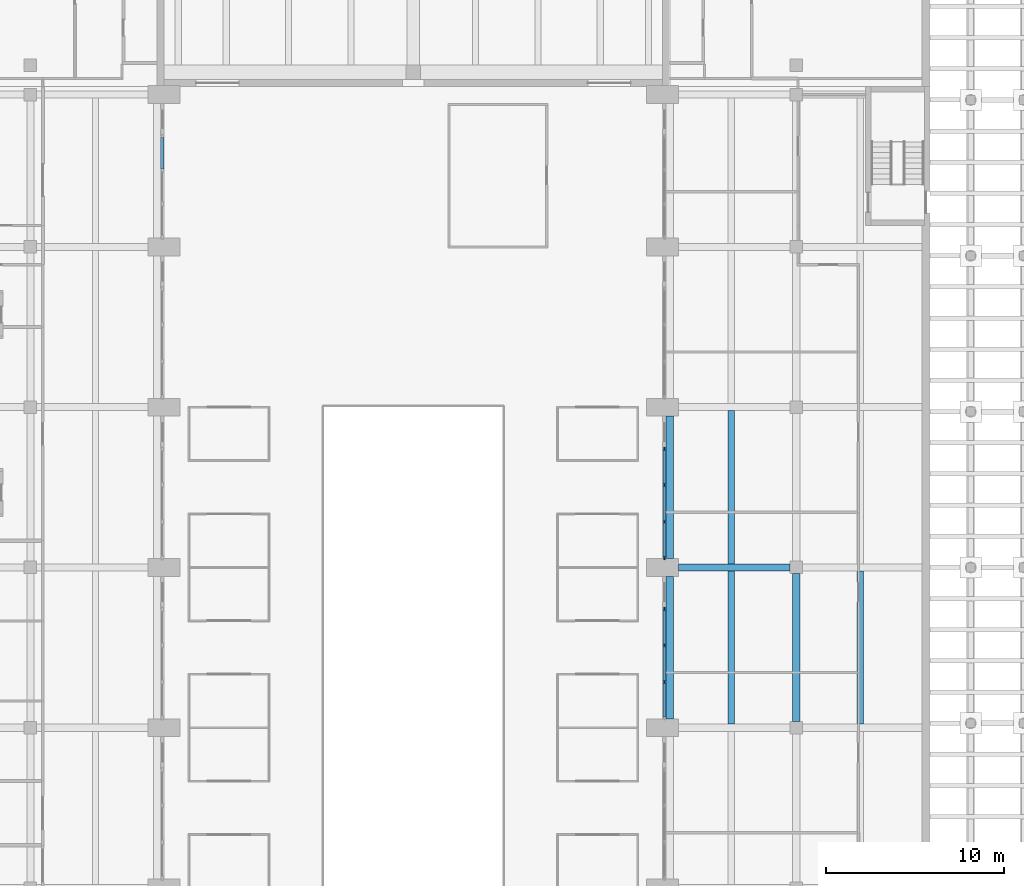
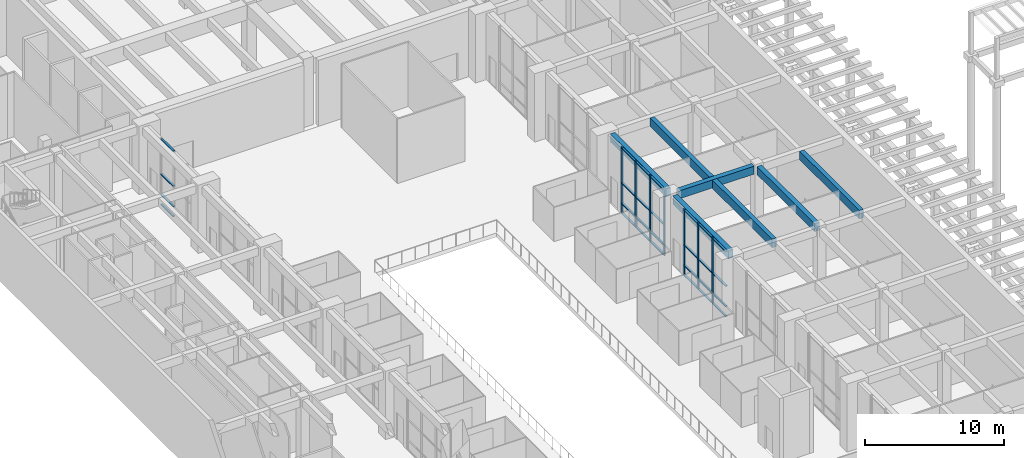
# One storey, part 18 of 51: 35 members, 7 beams, 3 elements without a shape of their own.
"""IFC4 building model written with IfcOpenShell, lengths in metres."""

import ifcopenshell
import ifcopenshell.guid

model = None  # the IFC model being written
_history = None  # IfcOwnerHistory: only IFC2X3 demands one
_inside = {}  # id of a spatial element -> (the spatial element, [elements in it])
_under = {}  # id of a project, library or spatial element -> (it, [spatial elements below it])
_declared = {}  # id of a project -> (the project, [libraries it declares])
_typed = {}  # id of a type object -> (the type object, [elements of that type])
_made_of = {}  # id of a material, layer set ... -> (it, [elements and type objects made of it])


def new_model(schema):
    """Start an empty IFC model of exactly this schema.

    Asked for "IFC4X3", IfcOpenShell would pick the latest addendum, in which some entities
    have other attributes; the version numbers below select the first issue.
    IFC2X3 requires an IfcOwnerHistory on every rooted entity: one is made here for all.
    """
    global model, _history
    if schema == "IFC4X3":
        model = ifcopenshell.file(schema_version=(4, 3, 0, 0))
    else:
        model = ifcopenshell.file(schema=schema)
    _inside.clear()
    _under.clear()
    _declared.clear()
    _typed.clear()
    _made_of.clear()
    _history = None
    if model.schema == "IFC2X3":
        org = make("IfcOrganization", Name="unknown")
        user = make(
            "IfcPersonAndOrganization",
            ThePerson=make("IfcPerson", FamilyName="unknown"),
            TheOrganization=org,
        )
        app = make(
            "IfcApplication",
            ApplicationDeveloper=org,
            Version="unknown",
            ApplicationFullName="unknown",
            ApplicationIdentifier="unknown",
        )
        _history = make(
            "IfcOwnerHistory",
            OwningUser=user,
            OwningApplication=app,
            ChangeAction="ADDED",
            CreationDate=0,
        )
    return model


def make(cls, **values):
    """One entity of the class cls with the attributes given. An attribute that is None is left unset."""
    return model.create_entity(
        cls, **{name: value for name, value in values.items() if value is not None}
    )


def rooted(cls, **values):
    """An entity with a GlobalId (a new one), such as an element, a storey or a relation."""
    return make(cls, GlobalId=ifcopenshell.guid.new(), OwnerHistory=_history, **values)


def si_unit(unit_type, name, prefix=None):
    """IfcSIUnit, for example si_unit("LENGTHUNIT", "METRE", prefix="MILLI")."""
    return make("IfcSIUnit", UnitType=unit_type, Prefix=prefix, Name=name)


def assignment(units):
    """IfcUnitAssignment: the units of a project."""
    return None if units is None else make("IfcUnitAssignment", Units=units)


def point(xyz):
    """IfcCartesianPoint."""
    return None if xyz is None else make("IfcCartesianPoint", Coordinates=xyz)


def direction(xyz):
    """IfcDirection."""
    return None if xyz is None else make("IfcDirection", DirectionRatios=xyz)


def frame(location, z_axis=None, x_axis=None):
    """IfcAxis2Placement3D, a coordinate frame: its origin and axes. An axis left out is left unset."""
    return make(
        "IfcAxis2Placement3D",
        Location=point(location),
        Axis=direction(z_axis),
        RefDirection=direction(x_axis),
    )


def frame_2d(location, x_axis=None):
    """IfcAxis2Placement2D, a coordinate frame in the plane: its origin and x axis."""
    return make(
        "IfcAxis2Placement2D", Location=point(location), RefDirection=direction(x_axis)
    )


def origin():
    """The frame at (0, 0, 0) with its axes left unset."""
    return frame((0.0, 0.0, 0.0))


def origin_2d():
    """The frame at (0, 0) in the plane with its x axis left unset."""
    return frame_2d((0.0, 0.0))


def place(relative_to, where):
    """IfcLocalPlacement: puts the frame where relative to a parent placement (None: the world)."""
    return make(
        "IfcLocalPlacement", PlacementRelTo=relative_to, RelativePlacement=where
    )


def context(
    kind, dimensions, precision=None, world=None, true_north=None, identifier=None
):
    """IfcGeometricRepresentationContext, for example the 3D "Model" context."""
    return make(
        "IfcGeometricRepresentationContext",
        ContextIdentifier=identifier,
        ContextType=kind,
        CoordinateSpaceDimension=dimensions,
        Precision=precision,
        WorldCoordinateSystem=world,
        TrueNorth=true_north,
    )


def subcontext(parent, identifier, kind, view, scale=None):
    """IfcGeometricRepresentationSubContext, for example "Body" below "Model"."""
    return make(
        "IfcGeometricRepresentationSubContext",
        ContextIdentifier=identifier,
        ContextType=kind,
        ParentContext=parent,
        TargetScale=scale,
        TargetView=view,
    )


def project(units=None, contexts=None):
    """IfcProject with its units and contexts."""
    return rooted(
        "IfcProject",
        Name="project",
        RepresentationContexts=contexts,
        UnitsInContext=assignment(units),
    )


def spatial(cls, under=None, at=None, **own):
    """A site, building, storey or space (cls), placed at a placement, below another one or the project."""
    s = rooted(cls, ObjectPlacement=at, **own)
    if under is not None:
        _under.setdefault(under.id(), (under, []))[1].append(s)
    return s


def profile(cls, at=None, kind="AREA", **sizes):
    """A parametric profile (cls). Its sizes go by their IFC names, for example OverallWidth=200.0."""
    return make(cls, ProfileType=kind, Position=at, **sizes)


def rectangle(**sizes):
    """IfcRectangleProfileDef."""
    return profile("IfcRectangleProfileDef", **sizes)


def extrude(swept, where, along, depth):
    """IfcExtrudedAreaSolid: the profile swept, set in the frame where, extruded along a direction by depth."""
    return make(
        "IfcExtrudedAreaSolid",
        SweptArea=swept,
        Position=where,
        ExtrudedDirection=direction(along),
        Depth=depth,
    )


def shape(context_of_items, identifier, shape_type, items):
    """IfcShapeRepresentation: the items that make up one representation, for example the "Body"."""
    return make(
        "IfcShapeRepresentation",
        ContextOfItems=context_of_items,
        RepresentationIdentifier=identifier,
        RepresentationType=shape_type,
        Items=items,
    )


def material(Name=None, Category=None):
    """IfcMaterial."""
    return make("IfcMaterial", Name=Name, Category=Category)


def material_profile(
    of_material, cross_section, Name=None, Category=None, Priority=None
):
    """IfcMaterialProfile: a cross section and its material."""
    return make(
        "IfcMaterialProfile",
        Name=Name,
        Material=of_material,
        Profile=cross_section,
        Priority=Priority,
        Category=Category,
    )


def profile_set(profiles, Name=None, composite=None):
    """IfcMaterialProfileSet."""
    return make(
        "IfcMaterialProfileSet",
        Name=Name,
        MaterialProfiles=profiles,
        CompositeProfile=composite,
    )


def made_of(thing, what):
    """Note that an element or type object is made of a material, layer set ...; save() writes the relation."""
    if what is not None:
        _made_of.setdefault(what.id(), (what, []))[1].append(thing)
    return thing


def type_object(cls, material=None, **own):
    """A type object (cls), such as IfcWallType, which elements share."""
    return made_of(rooted(cls, **own), material)


def element(
    cls,
    number,
    at=None,
    inside=None,
    cuts=None,
    type_object=None,
    material=None,
    context=None,
    identifier="Body",
    shape_type=None,
    held_by="IfcProductDefinitionShape",
    body=None,
    shapes=None,
    **own,
):
    """One element of the class cls, such as IfcWall. Its Tag is "e" and its number.

    at: its placement. inside: the storey or other place that contains it. cuts: it is an
    opening in that element (IfcRelVoidsElement). A single representation is given by context,
    identifier, shape_type and body (its items); several are given by shapes. held_by: the class
    of the entity that holds the representations. save() writes the other relations.
    """
    e = rooted(cls, Tag="e%d" % number, ObjectPlacement=at, **own)
    if body is not None:
        shapes = [shape(context, identifier, shape_type, body)]
    if shapes is not None:
        e.Representation = make(held_by, Representations=shapes)
    if inside is not None:
        _inside.setdefault(inside.id(), (inside, []))[1].append(e)
    if cuts is not None:
        rooted(
            "IfcRelVoidsElement", RelatingBuildingElement=cuts, RelatedOpeningElement=e
        )
    if type_object is not None:
        _typed.setdefault(type_object.id(), (type_object, []))[1].append(e)
    return made_of(e, material)


def aggregate(whole, parts):
    """IfcRelAggregates: a whole, such as a stair, and the parts it consists of."""
    return rooted("IfcRelAggregates", RelatingObject=whole, RelatedObjects=parts)


def save(model, path):
    """Write the relations noted so far, then the file.

    IfcRelAggregates (storeys below a building ...), IfcRelContainedInSpatialStructure (elements
    in a storey), IfcRelDefinesByType, IfcRelAssociatesMaterial and IfcRelDeclares: one each for
    every whole, place, type object, material and project.
    """
    for whole, parts in _under.values():
        aggregate(whole, parts)
    for where, things in _inside.values():
        rooted(
            "IfcRelContainedInSpatialStructure",
            RelatedElements=things,
            RelatingStructure=where,
        )
    for kind, things in _typed.values():
        rooted("IfcRelDefinesByType", RelatedObjects=things, RelatingType=kind)
    for what, things in _made_of.values():
        rooted("IfcRelAssociatesMaterial", RelatedObjects=things, RelatingMaterial=what)
    for by, libraries in _declared.values():
        rooted("IfcRelDeclares", RelatingContext=by, RelatedDefinitions=libraries)
    model.write(path)


model = new_model("IFC4")

# Units and contexts
model_context = context("Model", 3, precision=1e-05, world=origin(), true_north=direction((0.0, 1.0)))
body_context = subcontext(model_context, "Body", "Model", "MODEL_VIEW")
ifc_project = project(units=[si_unit("LENGTHUNIT", "METRE"), si_unit("AREAUNIT", "SQUARE_METRE"), si_unit("VOLUMEUNIT", "CUBIC_METRE"), si_unit("PLANEANGLEUNIT", "RADIAN"), si_unit("MASSUNIT", "GRAM", prefix="KILO")], contexts=[model_context])

# Site, building, storey
site_placement = place(None, origin())
site = spatial("IfcSite", under=ifc_project, at=site_placement, CompositionType="ELEMENT")
building_placement = place(site_placement, origin())
building = spatial("IfcBuilding", under=site, at=building_placement, Name="Elmora Arch Market Hall", CompositionType="ELEMENT")
storey_placement = place(building_placement, origin())
storey = spatial("IfcBuildingStorey", under=building, at=storey_placement, Name="L00", CompositionType="ELEMENT", Elevation=0.0)

# Curtain wall, members
ifc_material_1 = material(Name="Aluminium", Category="aluminium")
curtain_wall_type = type_object("IfcCurtainWallType", Name="Shopfront curtain wall", PredefinedType="NOTDEFINED", material=ifc_material_1)
curtain_wall_1_placement = place(storey_placement, origin())
curtain_wall_1 = element("IfcCurtainWall", 1, at=curtain_wall_1_placement, inside=storey, type_object=curtain_wall_type, Name="Shopfront E 5", PredefinedType="NOTDEFINED")
ifc_material_2 = material(Name="Aluminium", Category="aluminium")
ifc_material_profile_1 = material_profile(ifc_material_2, rectangle(XDim=0.10009765625, YDim=0.219970703125, at=origin_2d()), Name="AL 100x220")
ifc_profile_set_1 = profile_set([ifc_material_profile_1], Name="Aluminium")
member_type_1 = type_object("IfcMemberType", Name="Mullion 100x220", PredefinedType="MULLION", material=ifc_profile_set_1)
member_1_placement = place(storey_placement, frame((43.10009765625, 65.566650390625, 0.0), z_axis=(0.0, 0.0, 1.0), x_axis=(-1.0, 0.0, 0.0)))
member_1 = element("IfcMember", 2, at=member_1_placement, type_object=member_type_1, Name="CW3 mullion 2", PredefinedType="MULLION", context=body_context, shape_type="SweptSolid", body=[
    extrude(rectangle(XDim=0.10009765625, YDim=0.219970703125, at=origin_2d()), origin(), (0.0, 0.0, 1.0), 5.800048828125),
])
member_2_placement = place(storey_placement, frame((43.10009765625, 67.63330078125, 0.0), z_axis=(0.0, 0.0, 1.0), x_axis=(-1.0, 0.0, 0.0)))
member_2 = element("IfcMember", 3, at=member_2_placement, type_object=member_type_1, Name="CW3 mullion 3", PredefinedType="MULLION", context=body_context, shape_type="SweptSolid", body=[
    extrude(rectangle(XDim=0.10009765625, YDim=0.219970703125, at=origin_2d()), origin(), (0.0, 0.0, 1.0), 5.800048828125),
])
member_3_placement = place(storey_placement, frame((43.10009765625, 69.64990234375, 0.0), z_axis=(0.0, 0.0, 1.0), x_axis=(-1.0, 0.0, 0.0)))
member_3 = element("IfcMember", 4, at=member_3_placement, type_object=member_type_1, Name="CW3 mullion 4", PredefinedType="MULLION", context=body_context, shape_type="SweptSolid", body=[
    extrude(rectangle(XDim=0.10009765625, YDim=0.219970703125, at=origin_2d()), origin(), (0.0, 0.0, 1.0), 5.800048828125),
])

curtain_wall_2_placement = place(storey_placement, origin())
curtain_wall_2 = element("IfcCurtainWall", 5, at=curtain_wall_2_placement, inside=storey, type_object=curtain_wall_type, Name="Shopfront E 6", PredefinedType="NOTDEFINED")
member_4_placement = place(storey_placement, frame((43.10009765625, 72.550048828125, 0.0), z_axis=(0.0, 0.0, 1.0), x_axis=(-1.0, 0.0, 0.0)))
member_4 = element("IfcMember", 6, at=member_4_placement, type_object=member_type_1, Name="CW3 mullion 1", PredefinedType="MULLION", context=body_context, shape_type="SweptSolid", body=[
    extrude(rectangle(XDim=0.10009765625, YDim=0.219970703125, at=origin_2d()), origin(), (0.0, 0.0, 1.0), 5.800048828125),
])
member_5_placement = place(storey_placement, frame((43.10009765625, 74.566650390625, 0.0), z_axis=(0.0, 0.0, 1.0), x_axis=(-1.0, 0.0, 0.0)))
member_5 = element("IfcMember", 7, at=member_5_placement, type_object=member_type_1, Name="CW3 mullion 2", PredefinedType="MULLION", context=body_context, shape_type="SweptSolid", body=[
    extrude(rectangle(XDim=0.10009765625, YDim=0.219970703125, at=origin_2d()), origin(), (0.0, 0.0, 1.0), 5.800048828125),
])
member_6_placement = place(storey_placement, frame((43.10009765625, 76.63330078125, 0.0), z_axis=(0.0, 0.0, 1.0), x_axis=(-1.0, 0.0, 0.0)))
member_6 = element("IfcMember", 8, at=member_6_placement, type_object=member_type_1, Name="CW3 mullion 3", PredefinedType="MULLION", context=body_context, shape_type="SweptSolid", body=[
    extrude(rectangle(XDim=0.10009765625, YDim=0.219970703125, at=origin_2d()), origin(), (0.0, 0.0, 1.0), 5.800048828125),
])
member_7_placement = place(storey_placement, frame((43.10009765625, 78.64990234375, 0.0), z_axis=(0.0, 0.0, 1.0), x_axis=(-1.0, 0.0, 0.0)))
member_7 = element("IfcMember", 9, at=member_7_placement, type_object=member_type_1, Name="CW3 mullion 4", PredefinedType="MULLION", context=body_context, shape_type="SweptSolid", body=[
    extrude(rectangle(XDim=0.10009765625, YDim=0.219970703125, at=origin_2d()), origin(), (0.0, 0.0, 1.0), 5.800048828125),
])

curtain_wall_3_placement = place(storey_placement, origin())
curtain_wall_3 = element("IfcCurtainWall", 10, at=curtain_wall_3_placement, inside=storey, type_object=curtain_wall_type, Name="Shopfront W 8", PredefinedType="NOTDEFINED")
ifc_material_3 = material(Name="Aluminium", Category="aluminium")
ifc_material_profile_2 = material_profile(ifc_material_3, rectangle(XDim=0.179931640625, YDim=0.074951171875, at=origin_2d()), Name="AL 180x75")
ifc_profile_set_2 = profile_set([ifc_material_profile_2], Name="Aluminium")
member_type_2 = type_object("IfcMemberType", Name="Transom 180x75", PredefinedType="USERDEFINED", material=ifc_profile_set_2)
member_8_placement = place(storey_placement, frame((14.89990234375, 94.38330078125, 0.03759765625), z_axis=(0.0, 1.0, 0.0), x_axis=(-1.0, 0.0, 0.0)))
member_8 = element("IfcMember", 11, at=member_8_placement, type_object=member_type_2, Name="CW3 transom 3.1", ObjectType="TRANSOM", PredefinedType="USERDEFINED", context=body_context, shape_type="SweptSolid", body=[
    extrude(rectangle(XDim=0.179931640625, YDim=0.074951171875, at=origin_2d()), origin(), (0.0, 0.0, 1.0), 1.7666015625),
])
member_9_placement = place(storey_placement, frame((14.89990234375, 94.38330078125, 0.89990234375), z_axis=(0.0, 1.0, 0.0), x_axis=(-1.0, 0.0, 0.0)))
member_9 = element("IfcMember", 12, at=member_9_placement, type_object=member_type_2, Name="CW3 transom 3.2", ObjectType="TRANSOM", PredefinedType="USERDEFINED", context=body_context, shape_type="SweptSolid", body=[
    extrude(rectangle(XDim=0.179931640625, YDim=0.074951171875, at=origin_2d()), origin(), (0.0, 0.0, 1.0), 1.7666015625),
])
member_10_placement = place(storey_placement, frame((14.89990234375, 94.38330078125, 2.699951171875), z_axis=(0.0, 1.0, 0.0), x_axis=(-1.0, 0.0, 0.0)))
member_10 = element("IfcMember", 13, at=member_10_placement, type_object=member_type_2, Name="CW3 transom 3.3", ObjectType="TRANSOM", PredefinedType="USERDEFINED", context=body_context, shape_type="SweptSolid", body=[
    extrude(rectangle(XDim=0.179931640625, YDim=0.074951171875, at=origin_2d()), origin(), (0.0, 0.0, 1.0), 1.7666015625),
])
member_11_placement = place(storey_placement, frame((14.89990234375, 94.38330078125, 5.762451171875), z_axis=(0.0, 1.0, 0.0), x_axis=(-1.0, 0.0, 0.0)))
member_11 = element("IfcMember", 14, at=member_11_placement, type_object=member_type_2, Name="CW3 transom 3.4", ObjectType="TRANSOM", PredefinedType="USERDEFINED", context=body_context, shape_type="SweptSolid", body=[
    extrude(rectangle(XDim=0.179931640625, YDim=0.074951171875, at=origin_2d()), origin(), (0.0, 0.0, 1.0), 1.7666015625),
])
aggregate(curtain_wall_3, [member_8, member_9, member_10, member_11])

# Member
member_12_placement = place(storey_placement, frame((43.10009765625, 63.60009765625, 0.03759765625), z_axis=(0.0, 1.0, 0.0), x_axis=(-1.0, 0.0, 0.0)))
member_12 = element("IfcMember", 15, at=member_12_placement, type_object=member_type_2, Name="CW3 transom 1.1", ObjectType="TRANSOM", PredefinedType="USERDEFINED", context=body_context, shape_type="SweptSolid", body=[
    extrude(rectangle(XDim=0.179931640625, YDim=0.074951171875, at=origin_2d()), origin(), (0.0, 0.0, 1.0), 1.91650390625),
])

member_13_placement = place(storey_placement, frame((43.10009765625, 63.60009765625, 0.89990234375), z_axis=(0.0, 1.0, 0.0), x_axis=(-1.0, 0.0, 0.0)))
member_13 = element("IfcMember", 16, at=member_13_placement, type_object=member_type_2, Name="CW3 transom 1.2", ObjectType="TRANSOM", PredefinedType="USERDEFINED", context=body_context, shape_type="SweptSolid", body=[
    extrude(rectangle(XDim=0.179931640625, YDim=0.074951171875, at=origin_2d()), origin(), (0.0, 0.0, 1.0), 1.91650390625),
])

member_14_placement = place(storey_placement, frame((43.10009765625, 63.60009765625, 2.699951171875), z_axis=(0.0, 1.0, 0.0), x_axis=(-1.0, 0.0, 0.0)))
member_14 = element("IfcMember", 17, at=member_14_placement, type_object=member_type_2, Name="CW3 transom 1.3", ObjectType="TRANSOM", PredefinedType="USERDEFINED", context=body_context, shape_type="SweptSolid", body=[
    extrude(rectangle(XDim=0.179931640625, YDim=0.074951171875, at=origin_2d()), origin(), (0.0, 0.0, 1.0), 1.91650390625),
])

member_15_placement = place(storey_placement, frame((43.10009765625, 63.60009765625, 5.762451171875), z_axis=(0.0, 1.0, 0.0), x_axis=(-1.0, 0.0, 0.0)))
member_15 = element("IfcMember", 18, at=member_15_placement, type_object=member_type_2, Name="CW3 transom 1.4", ObjectType="TRANSOM", PredefinedType="USERDEFINED", context=body_context, shape_type="SweptSolid", body=[
    extrude(rectangle(XDim=0.179931640625, YDim=0.074951171875, at=origin_2d()), origin(), (0.0, 0.0, 1.0), 1.91650390625),
])

member_16_placement = place(storey_placement, frame((43.10009765625, 65.61669921875, 0.03759765625), z_axis=(0.0, 1.0, 0.0), x_axis=(-1.0, 0.0, 0.0)))
member_16 = element("IfcMember", 19, at=member_16_placement, type_object=member_type_2, Name="CW3 transom 2.1", ObjectType="TRANSOM", PredefinedType="USERDEFINED", context=body_context, shape_type="SweptSolid", body=[
    extrude(rectangle(XDim=0.179931640625, YDim=0.074951171875, at=origin_2d()), origin(), (0.0, 0.0, 1.0), 1.966552734375),
])

member_17_placement = place(storey_placement, frame((43.10009765625, 65.61669921875, 0.89990234375), z_axis=(0.0, 1.0, 0.0), x_axis=(-1.0, 0.0, 0.0)))
member_17 = element("IfcMember", 20, at=member_17_placement, type_object=member_type_2, Name="CW3 transom 2.2", ObjectType="TRANSOM", PredefinedType="USERDEFINED", context=body_context, shape_type="SweptSolid", body=[
    extrude(rectangle(XDim=0.179931640625, YDim=0.074951171875, at=origin_2d()), origin(), (0.0, 0.0, 1.0), 1.966552734375),
])

member_18_placement = place(storey_placement, frame((43.10009765625, 65.61669921875, 2.699951171875), z_axis=(0.0, 1.0, 0.0), x_axis=(-1.0, 0.0, 0.0)))
member_18 = element("IfcMember", 21, at=member_18_placement, type_object=member_type_2, Name="CW3 transom 2.3", ObjectType="TRANSOM", PredefinedType="USERDEFINED", context=body_context, shape_type="SweptSolid", body=[
    extrude(rectangle(XDim=0.179931640625, YDim=0.074951171875, at=origin_2d()), origin(), (0.0, 0.0, 1.0), 1.966552734375),
])

member_19_placement = place(storey_placement, frame((43.10009765625, 65.61669921875, 5.762451171875), z_axis=(0.0, 1.0, 0.0), x_axis=(-1.0, 0.0, 0.0)))
member_19 = element("IfcMember", 22, at=member_19_placement, type_object=member_type_2, Name="CW3 transom 2.4", ObjectType="TRANSOM", PredefinedType="USERDEFINED", context=body_context, shape_type="SweptSolid", body=[
    extrude(rectangle(XDim=0.179931640625, YDim=0.074951171875, at=origin_2d()), origin(), (0.0, 0.0, 1.0), 1.966552734375),
])

member_20_placement = place(storey_placement, frame((43.10009765625, 67.683349609375, 0.03759765625), z_axis=(0.0, 1.0, 0.0), x_axis=(-1.0, 0.0, 0.0)))
member_20 = element("IfcMember", 23, at=member_20_placement, type_object=member_type_2, Name="CW3 transom 3.1", ObjectType="TRANSOM", PredefinedType="USERDEFINED", context=body_context, shape_type="SweptSolid", body=[
    extrude(rectangle(XDim=0.179931640625, YDim=0.074951171875, at=origin_2d()), origin(), (0.0, 0.0, 1.0), 1.916748046875),
])

member_21_placement = place(storey_placement, frame((43.10009765625, 67.683349609375, 0.89990234375), z_axis=(0.0, 1.0, 0.0), x_axis=(-1.0, 0.0, 0.0)))
member_21 = element("IfcMember", 24, at=member_21_placement, type_object=member_type_2, Name="CW3 transom 3.2", ObjectType="TRANSOM", PredefinedType="USERDEFINED", context=body_context, shape_type="SweptSolid", body=[
    extrude(rectangle(XDim=0.179931640625, YDim=0.074951171875, at=origin_2d()), origin(), (0.0, 0.0, 1.0), 1.916748046875),
])

member_22_placement = place(storey_placement, frame((43.10009765625, 67.683349609375, 2.699951171875), z_axis=(0.0, 1.0, 0.0), x_axis=(-1.0, 0.0, 0.0)))
member_22 = element("IfcMember", 25, at=member_22_placement, type_object=member_type_2, Name="CW3 transom 3.3", ObjectType="TRANSOM", PredefinedType="USERDEFINED", context=body_context, shape_type="SweptSolid", body=[
    extrude(rectangle(XDim=0.179931640625, YDim=0.074951171875, at=origin_2d()), origin(), (0.0, 0.0, 1.0), 1.916748046875),
])

member_23_placement = place(storey_placement, frame((43.10009765625, 67.683349609375, 5.762451171875), z_axis=(0.0, 1.0, 0.0), x_axis=(-1.0, 0.0, 0.0)))
member_23 = element("IfcMember", 26, at=member_23_placement, type_object=member_type_2, Name="CW3 transom 3.4", ObjectType="TRANSOM", PredefinedType="USERDEFINED", context=body_context, shape_type="SweptSolid", body=[
    extrude(rectangle(XDim=0.179931640625, YDim=0.074951171875, at=origin_2d()), origin(), (0.0, 0.0, 1.0), 1.916748046875),
])

aggregate(curtain_wall_1, [member_1, member_2, member_3, member_12, member_13, member_14, member_15, member_16, member_17, member_18, member_19, member_20, member_21, member_22, member_23])

member_24_placement = place(storey_placement, frame((43.10009765625, 72.60009765625, 0.03759765625), z_axis=(0.0, 1.0, 0.0), x_axis=(-1.0, 0.0, 0.0)))
member_24 = element("IfcMember", 27, at=member_24_placement, type_object=member_type_2, Name="CW3 transom 1.1", ObjectType="TRANSOM", PredefinedType="USERDEFINED", context=body_context, shape_type="SweptSolid", body=[
    extrude(rectangle(XDim=0.179931640625, YDim=0.074951171875, at=origin_2d()), origin(), (0.0, 0.0, 1.0), 1.91650390625),
])

member_25_placement = place(storey_placement, frame((43.10009765625, 72.60009765625, 0.89990234375), z_axis=(0.0, 1.0, 0.0), x_axis=(-1.0, 0.0, 0.0)))
member_25 = element("IfcMember", 28, at=member_25_placement, type_object=member_type_2, Name="CW3 transom 1.2", ObjectType="TRANSOM", PredefinedType="USERDEFINED", context=body_context, shape_type="SweptSolid", body=[
    extrude(rectangle(XDim=0.179931640625, YDim=0.074951171875, at=origin_2d()), origin(), (0.0, 0.0, 1.0), 1.91650390625),
])

member_26_placement = place(storey_placement, frame((43.10009765625, 72.60009765625, 2.699951171875), z_axis=(0.0, 1.0, 0.0), x_axis=(-1.0, 0.0, 0.0)))
member_26 = element("IfcMember", 29, at=member_26_placement, type_object=member_type_2, Name="CW3 transom 1.3", ObjectType="TRANSOM", PredefinedType="USERDEFINED", context=body_context, shape_type="SweptSolid", body=[
    extrude(rectangle(XDim=0.179931640625, YDim=0.074951171875, at=origin_2d()), origin(), (0.0, 0.0, 1.0), 1.91650390625),
])

member_27_placement = place(storey_placement, frame((43.10009765625, 72.60009765625, 5.762451171875), z_axis=(0.0, 1.0, 0.0), x_axis=(-1.0, 0.0, 0.0)))
member_27 = element("IfcMember", 30, at=member_27_placement, type_object=member_type_2, Name="CW3 transom 1.4", ObjectType="TRANSOM", PredefinedType="USERDEFINED", context=body_context, shape_type="SweptSolid", body=[
    extrude(rectangle(XDim=0.179931640625, YDim=0.074951171875, at=origin_2d()), origin(), (0.0, 0.0, 1.0), 1.91650390625),
])

member_28_placement = place(storey_placement, frame((43.10009765625, 74.61669921875, 0.03759765625), z_axis=(0.0, 1.0, 0.0), x_axis=(-1.0, 0.0, 0.0)))
member_28 = element("IfcMember", 31, at=member_28_placement, type_object=member_type_2, Name="CW3 transom 2.1", ObjectType="TRANSOM", PredefinedType="USERDEFINED", context=body_context, shape_type="SweptSolid", body=[
    extrude(rectangle(XDim=0.179931640625, YDim=0.074951171875, at=origin_2d()), origin(), (0.0, 0.0, 1.0), 1.966552734375),
])

member_29_placement = place(storey_placement, frame((43.10009765625, 74.61669921875, 0.89990234375), z_axis=(0.0, 1.0, 0.0), x_axis=(-1.0, 0.0, 0.0)))
member_29 = element("IfcMember", 32, at=member_29_placement, type_object=member_type_2, Name="CW3 transom 2.2", ObjectType="TRANSOM", PredefinedType="USERDEFINED", context=body_context, shape_type="SweptSolid", body=[
    extrude(rectangle(XDim=0.179931640625, YDim=0.074951171875, at=origin_2d()), origin(), (0.0, 0.0, 1.0), 1.966552734375),
])

member_30_placement = place(storey_placement, frame((43.10009765625, 74.61669921875, 2.699951171875), z_axis=(0.0, 1.0, 0.0), x_axis=(-1.0, 0.0, 0.0)))
member_30 = element("IfcMember", 33, at=member_30_placement, type_object=member_type_2, Name="CW3 transom 2.3", ObjectType="TRANSOM", PredefinedType="USERDEFINED", context=body_context, shape_type="SweptSolid", body=[
    extrude(rectangle(XDim=0.179931640625, YDim=0.074951171875, at=origin_2d()), origin(), (0.0, 0.0, 1.0), 1.966552734375),
])

member_31_placement = place(storey_placement, frame((43.10009765625, 74.61669921875, 5.762451171875), z_axis=(0.0, 1.0, 0.0), x_axis=(-1.0, 0.0, 0.0)))
member_31 = element("IfcMember", 34, at=member_31_placement, type_object=member_type_2, Name="CW3 transom 2.4", ObjectType="TRANSOM", PredefinedType="USERDEFINED", context=body_context, shape_type="SweptSolid", body=[
    extrude(rectangle(XDim=0.179931640625, YDim=0.074951171875, at=origin_2d()), origin(), (0.0, 0.0, 1.0), 1.966552734375),
])

member_32_placement = place(storey_placement, frame((43.10009765625, 76.683349609375, 0.03759765625), z_axis=(0.0, 1.0, 0.0), x_axis=(-1.0, 0.0, 0.0)))
member_32 = element("IfcMember", 35, at=member_32_placement, type_object=member_type_2, Name="CW3 transom 3.1", ObjectType="TRANSOM", PredefinedType="USERDEFINED", context=body_context, shape_type="SweptSolid", body=[
    extrude(rectangle(XDim=0.179931640625, YDim=0.074951171875, at=origin_2d()), origin(), (0.0, 0.0, 1.0), 1.916748046875),
])

member_33_placement = place(storey_placement, frame((43.10009765625, 76.683349609375, 0.89990234375), z_axis=(0.0, 1.0, 0.0), x_axis=(-1.0, 0.0, 0.0)))
member_33 = element("IfcMember", 36, at=member_33_placement, type_object=member_type_2, Name="CW3 transom 3.2", ObjectType="TRANSOM", PredefinedType="USERDEFINED", context=body_context, shape_type="SweptSolid", body=[
    extrude(rectangle(XDim=0.179931640625, YDim=0.074951171875, at=origin_2d()), origin(), (0.0, 0.0, 1.0), 1.916748046875),
])

member_34_placement = place(storey_placement, frame((43.10009765625, 76.683349609375, 2.699951171875), z_axis=(0.0, 1.0, 0.0), x_axis=(-1.0, 0.0, 0.0)))
member_34 = element("IfcMember", 37, at=member_34_placement, type_object=member_type_2, Name="CW3 transom 3.3", ObjectType="TRANSOM", PredefinedType="USERDEFINED", context=body_context, shape_type="SweptSolid", body=[
    extrude(rectangle(XDim=0.179931640625, YDim=0.074951171875, at=origin_2d()), origin(), (0.0, 0.0, 1.0), 1.916748046875),
])

member_35_placement = place(storey_placement, frame((43.10009765625, 76.683349609375, 5.762451171875), z_axis=(0.0, 1.0, 0.0), x_axis=(-1.0, 0.0, 0.0)))
member_35 = element("IfcMember", 38, at=member_35_placement, type_object=member_type_2, Name="CW3 transom 3.4", ObjectType="TRANSOM", PredefinedType="USERDEFINED", context=body_context, shape_type="SweptSolid", body=[
    extrude(rectangle(XDim=0.179931640625, YDim=0.074951171875, at=origin_2d()), origin(), (0.0, 0.0, 1.0), 1.916748046875),
])

aggregate(curtain_wall_2, [member_4, member_5, member_6, member_7, member_24, member_25, member_26, member_27, member_28, member_29, member_30, member_31, member_32, member_33, member_34, member_35])

# Beams
ifc_material_4 = material(Name="Concrete C32/40", Category="concrete")
ifc_material_profile_3 = material_profile(ifc_material_4, rectangle(XDim=0.39990234375, YDim=0.699951171875, at=origin_2d()), Name="Wing beam 400x700")
ifc_profile_set_3 = profile_set([ifc_material_profile_3], Name="Concrete C32/40")
beam_type_1 = type_object("IfcBeamType", Name="Wing beam 400x700", PredefinedType="BEAM", material=ifc_profile_set_3)
beam_1_placement = place(storey_placement, frame((43.89990234375, 72.0, 5.449951171875), z_axis=(1.0, 0.0, 0.0), x_axis=(0.0, 1.0, 0.0)))
element("IfcBeam", 39, at=beam_1_placement, inside=storey, type_object=beam_type_1, Name="Wing beam ER6 L00.1", PredefinedType="BEAM", context=body_context, shape_type="SweptSolid", body=[
    extrude(rectangle(XDim=0.39990234375, YDim=0.699951171875, at=origin_2d()), origin(), (0.0, 0.0, 1.0), 6.25),
])
beam_2_placement = place(storey_placement, frame((50.5, 63.35009765625, 5.449951171875), z_axis=(0.0, 1.0, 0.0), x_axis=(-1.0, 0.0, 0.0)))
element("IfcBeam", 40, at=beam_2_placement, inside=storey, type_object=beam_type_1, Name="Wing beam EG L00.5", PredefinedType="BEAM", context=body_context, shape_type="SweptSolid", body=[
    extrude(rectangle(XDim=0.39990234375, YDim=0.699951171875, at=origin_2d()), origin(), (0.0, 0.0, 1.0), 8.2998046875),
])
for number, where, z_axis, x_axis, name in (
    (41, (43.39990234375, 63.5, 5.449951171875), (0.0, 1.0, 0.0), (-1.0, 0.0, 0.0), "Wing beam EEB L00.5"),
    (42, (43.39990234375, 72.5, 5.449951171875), (0.0, 1.0, 0.0), (-1.0, 0.0, 0.0), "Wing beam EEB L00.6"),
):
    element("IfcBeam", number, at=place(storey_placement, frame(where, z_axis=z_axis, x_axis=x_axis)), inside=storey, type_object=beam_type_1, Name=name, PredefinedType="BEAM", context=body_context, shape_type="SweptSolid", body=[
        extrude(rectangle(XDim=0.39990234375, YDim=0.699951171875, at=origin_2d()), origin(), (0.0, 0.0, 1.0), 8.0),
    ])
ifc_material_5 = material(Name="Concrete C32/40", Category="concrete")
ifc_material_profile_4 = material_profile(ifc_material_5, rectangle(XDim=0.35009765625, YDim=0.75, at=origin_2d()), Name="Wing joist 350x750")
ifc_profile_set_4 = profile_set([ifc_material_profile_4], Name="Concrete C32/40")
beam_type_2 = type_object("IfcBeamType", Name="Wing joist 350x750", PredefinedType="JOIST", material=ifc_profile_set_4)
for number, where, z_axis, x_axis, name in (
    (43, (46.85009765625, 63.199951171875, 5.425048828125), (0.0, 1.0, 0.0), (-1.0, 0.0, 0.0), "Wing joist EJ1 L00.5"),
    (44, (46.85009765625, 72.199951171875, 5.425048828125), (0.0, 1.0, 0.0), (-1.0, 0.0, 0.0), "Wing joist EJ1 L00.6"),
    (45, (54.10009765625, 63.199951171875, 5.425048828125), (0.0, 1.0, 0.0), (-1.0, 0.0, 0.0), "Wing joist EJ2 L00.5"),
):
    element("IfcBeam", number, at=place(storey_placement, frame(where, z_axis=z_axis, x_axis=x_axis)), inside=storey, type_object=beam_type_2, Name=name, PredefinedType="JOIST", context=body_context, shape_type="SweptSolid", body=[
        extrude(rectangle(XDim=0.35009765625, YDim=0.75, at=origin_2d()), origin(), (0.0, 0.0, 1.0), 8.60009765625),
    ])

save(model, "model.ifc")
